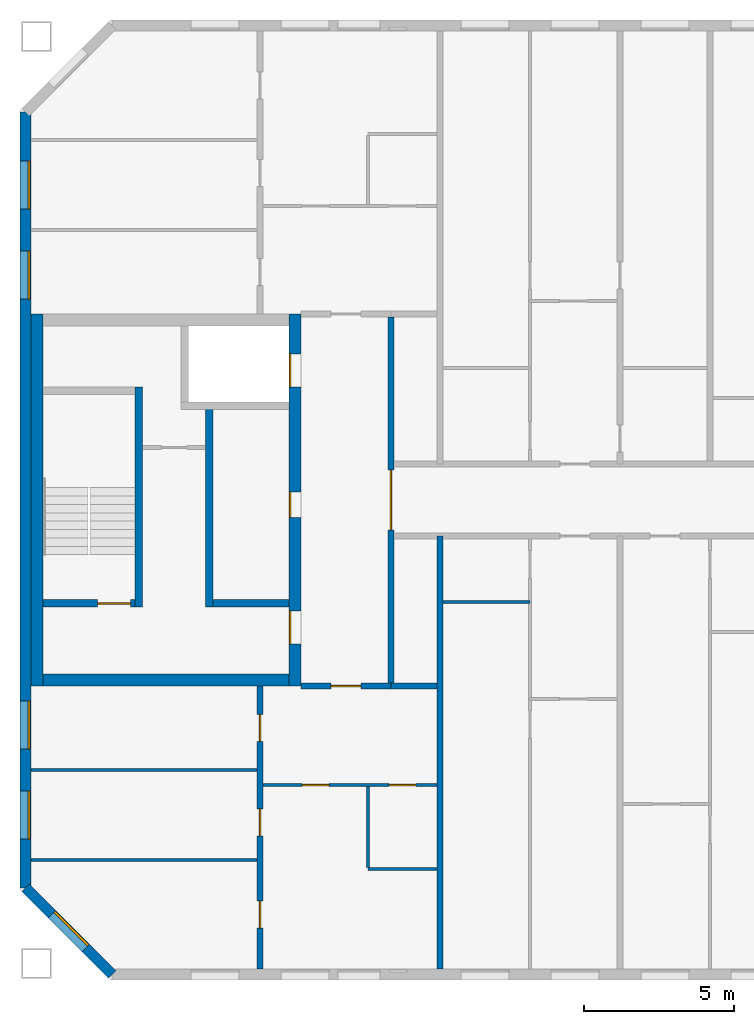
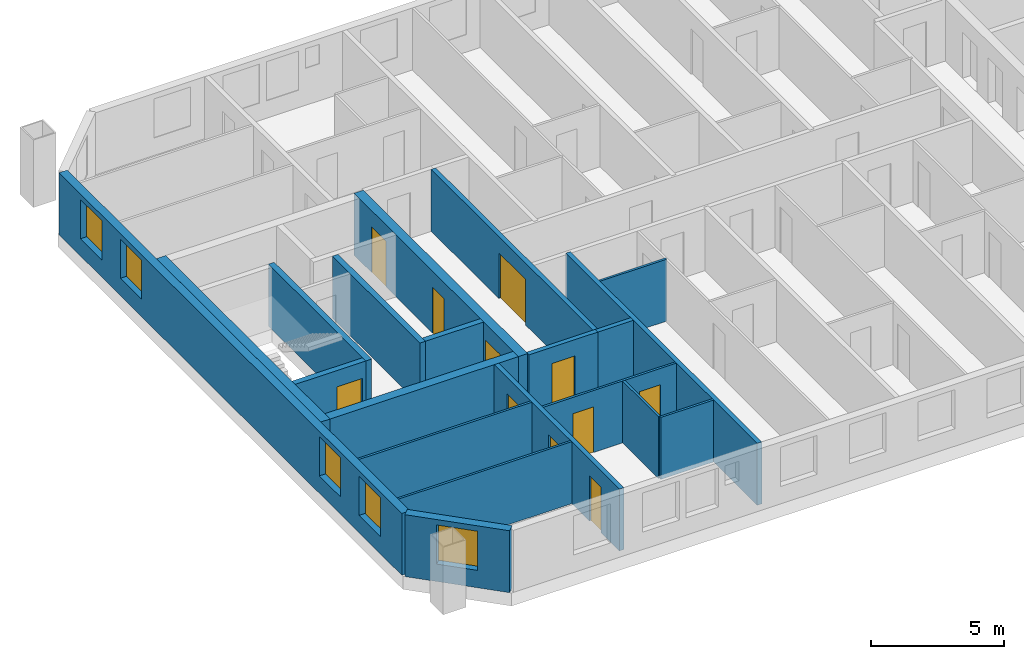
# One storey, part 4 of 19: 20 walls, 11 doors, 5 windows, 16 openings.
"""IFC4 building model written with IfcOpenShell, lengths in metres."""

from ifc_helpers import new_model, si_unit, direction, frame, frame_2d, origin, place, context, subcontext, project, spatial, rectangle, extrude, material, layer, layer_set, type_object, element, fill, save


model = new_model("IFC4")

# Units and contexts
model_context = context("Model", 3, precision=1e-05, world=origin(), true_north=direction((0.0, 1.0)))
body_context = subcontext(model_context, "Body", "Model", "MODEL_VIEW")
ifc_project = project(units=[si_unit("LENGTHUNIT", "METRE"), si_unit("AREAUNIT", "SQUARE_METRE"), si_unit("VOLUMEUNIT", "CUBIC_METRE"), si_unit("PLANEANGLEUNIT", "RADIAN"), si_unit("MASSUNIT", "GRAM", prefix="KILO")], contexts=[model_context])

# Site, building, storey
site_placement = place(None, origin())
site = spatial("IfcSite", under=ifc_project, at=site_placement, CompositionType="ELEMENT")
building_placement = place(site_placement, origin())
building = spatial("IfcBuilding", under=site, at=building_placement, Name="Tuart Gate Housing", CompositionType="ELEMENT")
storey_placement = place(building_placement, frame((0.0, 0.0, 221.39990234375)))
storey = spatial("IfcBuildingStorey", under=building, at=storey_placement, Name="L62", CompositionType="ELEMENT", Elevation=221.39990234375)

# Wall, opening, window
ifc_material_1 = material(Name="Brick", Category="masonry")
ifc_layer_1 = layer(ifc_material_1, 0.360107421875)
ifc_layer_set_1 = layer_set([ifc_layer_1], Name="Brick pier and spandrel wall 360")
wall_type_1 = type_object("IfcWallType", Name="Brick pier and spandrel wall 360", PredefinedType="STANDARD", material=ifc_layer_set_1)
wall_1_placement = place(storey_placement, frame((32.179931640625, 57.07470703125, 0.0), z_axis=(0.0, 0.0, 1.0), x_axis=(0.707106781187, -0.707106781187, 0.0)))
wall_1 = element("IfcWall", 1, at=wall_1_placement, inside=storey, type_object=wall_type_1, Name="External wall BLK-SW L62", PredefinedType="STANDARD", context=body_context, shape_type="SweptSolid", body=[
    extrude(rectangle(XDim=4.09375, YDim=0.360107421875, at=frame_2d((2.046875, 0.0))), origin(), (0.0, 0.0, 1.0), 2.85009765625),
])
opening_1_placement = place(wall_1_placement, frame((1.2470703125, 0.0, 0.800048828125)))
opening_1 = element("IfcOpeningElement", 2, at=opening_1_placement, cuts=wall_1, Name="Opening W1", PredefinedType="OPENING", context=body_context, shape_type="SweptSolid", body=[
    extrude(rectangle(XDim=1.60009765625, YDim=1.800048828125, at=frame_2d((0.800048828125, 0.89990234375))), frame((0.0, 0.18994140625, 0.0), z_axis=(0.0, -1.0, 0.0), x_axis=(1.0, 0.0, 0.0)), (0.0, 0.0, 1.0), 0.380126953125),
])
ifc_material_2 = material(Name="Aluminium frame with clear glass", Category="aluminium")
window_type = type_object("IfcWindowType", Name="Punched window 1600 x 1800", PartitioningType="SINGLE_PANEL", PredefinedType="WINDOW", material=ifc_material_2)
window_1_placement = place(opening_1_placement, origin())
window_1 = element("IfcWindow", 3, at=window_1_placement, inside=storey, type_object=window_type, Name="Window W1", OverallHeight=1.800048828125, OverallWidth=1.60009765625, PartitioningType="SINGLE_PANEL", PredefinedType="WINDOW", context=body_context, shape_type="SweptSolid", body=[
    extrude(rectangle(XDim=1.60009765625, YDim=1.800048828125, at=frame_2d((0.800048828125, 0.89990234375))), frame((0.0, 0.150146484375, 0.0), z_axis=(0.0, -1.0, 0.0), x_axis=(1.0, 0.0, 0.0)), (0.0, 0.0, 1.0), 0.06005859375),
])
fill(opening_1, window_1)

# Wall, openings, windows
wall_2_placement = place(storey_placement, frame((32.179931640625, 82.92529296875, 0.0), z_axis=(0.0, 0.0, 1.0), x_axis=(0.0, -1.0, 0.0)))
wall_2 = element("IfcWall", 4, at=wall_2_placement, inside=storey, type_object=wall_type_1, Name="External wall BLK-W L62", PredefinedType="STANDARD", context=body_context, shape_type="SweptSolid", body=[
    extrude(rectangle(XDim=25.850830078125, YDim=0.360107421875, at=frame_2d((12.92529296875, 0.0))), origin(), (0.0, 0.0, 1.0), 2.85009765625),
])
opening_2_placement = place(wall_2_placement, frame((1.62548828125, 0.0, 0.800048828125)))
opening_2 = element("IfcOpeningElement", 5, at=opening_2_placement, cuts=wall_2, Name="Opening W1", PredefinedType="OPENING", context=body_context, shape_type="SweptSolid", body=[
    extrude(rectangle(XDim=1.60009765625, YDim=1.800048828125, at=frame_2d((0.800048828125, 0.89990234375))), frame((0.0, 0.18994140625, 0.0), z_axis=(0.0, -1.0, 0.0), x_axis=(1.0, 0.0, 0.0)), (0.0, 0.0, 1.0), 0.380126953125),
])
opening_3_placement = place(wall_2_placement, frame((4.62548828125, 0.0, 0.800048828125)))
opening_3 = element("IfcOpeningElement", 6, at=opening_3_placement, cuts=wall_2, Name="Opening W1", PredefinedType="OPENING", context=body_context, shape_type="SweptSolid", body=[
    extrude(rectangle(XDim=1.60009765625, YDim=1.800048828125, at=frame_2d((0.800048828125, 0.89990234375))), frame((0.0, 0.18994140625, 0.0), z_axis=(0.0, -1.0, 0.0), x_axis=(1.0, 0.0, 0.0)), (0.0, 0.0, 1.0), 0.380126953125),
])
opening_4_placement = place(wall_2_placement, frame((19.62548828125, 0.0, 0.800048828125)))
opening_4 = element("IfcOpeningElement", 7, at=opening_4_placement, cuts=wall_2, Name="Opening W1", PredefinedType="OPENING", context=body_context, shape_type="SweptSolid", body=[
    extrude(rectangle(XDim=1.60009765625, YDim=1.800048828125, at=frame_2d((0.800048828125, 0.89990234375))), frame((0.0, 0.18994140625, 0.0), z_axis=(0.0, -1.0, 0.0), x_axis=(1.0, 0.0, 0.0)), (0.0, 0.0, 1.0), 0.380126953125),
])
opening_5_placement = place(wall_2_placement, frame((22.62548828125, 0.0, 0.800048828125)))
opening_5 = element("IfcOpeningElement", 8, at=opening_5_placement, cuts=wall_2, Name="Opening W1", PredefinedType="OPENING", context=body_context, shape_type="SweptSolid", body=[
    extrude(rectangle(XDim=1.60009765625, YDim=1.800048828125, at=frame_2d((0.800048828125, 0.89990234375))), frame((0.0, 0.18994140625, 0.0), z_axis=(0.0, -1.0, 0.0), x_axis=(1.0, 0.0, 0.0)), (0.0, 0.0, 1.0), 0.380126953125),
])
window_2_placement = place(opening_2_placement, origin())
window_2 = element("IfcWindow", 9, at=window_2_placement, inside=storey, type_object=window_type, Name="Window W1", OverallHeight=1.800048828125, OverallWidth=1.60009765625, PartitioningType="SINGLE_PANEL", PredefinedType="WINDOW", context=body_context, shape_type="SweptSolid", body=[
    extrude(rectangle(XDim=1.60009765625, YDim=1.800048828125, at=frame_2d((0.800048828125, 0.89990234375))), frame((0.0, 0.150146484375, 0.0), z_axis=(0.0, -1.0, 0.0), x_axis=(1.0, 0.0, 0.0)), (0.0, 0.0, 1.0), 0.06005859375),
])
fill(opening_2, window_2)
window_3_placement = place(opening_3_placement, origin())
window_3 = element("IfcWindow", 10, at=window_3_placement, inside=storey, type_object=window_type, Name="Window W1", OverallHeight=1.800048828125, OverallWidth=1.60009765625, PartitioningType="SINGLE_PANEL", PredefinedType="WINDOW", context=body_context, shape_type="SweptSolid", body=[
    extrude(rectangle(XDim=1.60009765625, YDim=1.800048828125, at=frame_2d((0.800048828125, 0.89990234375))), frame((0.0, 0.150146484375, 0.0), z_axis=(0.0, -1.0, 0.0), x_axis=(1.0, 0.0, 0.0)), (0.0, 0.0, 1.0), 0.06005859375),
])
fill(opening_3, window_3)
window_4_placement = place(opening_4_placement, origin())
window_4 = element("IfcWindow", 11, at=window_4_placement, inside=storey, type_object=window_type, Name="Window W1", OverallHeight=1.800048828125, OverallWidth=1.60009765625, PartitioningType="SINGLE_PANEL", PredefinedType="WINDOW", context=body_context, shape_type="SweptSolid", body=[
    extrude(rectangle(XDim=1.60009765625, YDim=1.800048828125, at=frame_2d((0.800048828125, 0.89990234375))), frame((0.0, 0.150146484375, 0.0), z_axis=(0.0, -1.0, 0.0), x_axis=(1.0, 0.0, 0.0)), (0.0, 0.0, 1.0), 0.06005859375),
])
fill(opening_4, window_4)
window_5_placement = place(opening_5_placement, origin())
window_5 = element("IfcWindow", 12, at=window_5_placement, inside=storey, type_object=window_type, Name="Window W1", OverallHeight=1.800048828125, OverallWidth=1.60009765625, PartitioningType="SINGLE_PANEL", PredefinedType="WINDOW", context=body_context, shape_type="SweptSolid", body=[
    extrude(rectangle(XDim=1.60009765625, YDim=1.800048828125, at=frame_2d((0.800048828125, 0.89990234375))), frame((0.0, 0.150146484375, 0.0), z_axis=(0.0, -1.0, 0.0), x_axis=(1.0, 0.0, 0.0)), (0.0, 0.0, 1.0), 0.06005859375),
])
fill(opening_5, window_5)

# Wall
ifc_material_3 = material(Name="Concrete C40", Category="concrete")
ifc_layer_2 = layer(ifc_material_3, 0.25)
ifc_layer_set_2 = layer_set([ifc_layer_2], Name="Core wall 250 C40")
wall_type_2 = type_object("IfcWallType", Name="Core wall 250 C40", PredefinedType="SHEAR", material=ifc_layer_set_2)
wall_3_placement = place(storey_placement, frame((40.9599609375, 66.550048828125, 0.0), z_axis=(0.0, 0.0, 1.0), x_axis=(-1.0, 0.0, 0.0)))
element("IfcWall", 13, at=wall_3_placement, inside=storey, type_object=wall_type_2, Name="Core wall AK.4", PredefinedType="SHEAR", context=body_context, shape_type="SweptSolid", body=[
    extrude(rectangle(XDim=2.52490234375, YDim=0.25, at=frame_2d((1.262451171875, 0.0))), origin(), (0.0, 0.0, 1.0), 2.85009765625),
])

# Wall, opening, door
wall_4_placement = place(storey_placement, frame((35.8349609375, 66.550048828125, 0.0), z_axis=(0.0, 0.0, 1.0), x_axis=(-1.0, 0.0, 0.0)))
wall_4 = element("IfcWall", 14, at=wall_4_placement, inside=storey, type_object=wall_type_2, Name="Core wall AK.5", PredefinedType="SHEAR", context=body_context, shape_type="SweptSolid", body=[
    extrude(rectangle(XDim=3.074951171875, YDim=0.25, at=frame_2d((1.53759765625, 0.0))), origin(), (0.0, 0.0, 1.0), 2.85009765625),
])
opening_6_placement = place(wall_4_placement, frame((0.14990234375, 0.0, 0.0)))
opening_6 = element("IfcOpeningElement", 15, at=opening_6_placement, cuts=wall_4, Name="Opening D2312", PredefinedType="OPENING", context=body_context, shape_type="SweptSolid", body=[
    extrude(rectangle(XDim=1.10009765625, YDim=2.10009765625, at=frame_2d((0.550048828125, 1.050048828125))), frame((0.0, 0.135009765625, 0.0), z_axis=(0.0, -1.0, 0.0), x_axis=(1.0, 0.0, 0.0)), (0.0, 0.0, 1.0), 0.27001953125),
])
ifc_material_4 = material(Name="Steel fire door", Category="steel")
door_type_1 = type_object("IfcDoorType", Name="Stair door 1100 x 2100 RH", OperationType="SINGLE_SWING_RIGHT", PredefinedType="DOOR", material=ifc_material_4)
door_1_placement = place(opening_6_placement, frame((1.10009765625, 0.0, 0.0), z_axis=(0.0, 0.0, 1.0), x_axis=(-1.0, 0.0, 0.0)))
door_1 = element("IfcDoor", 16, at=door_1_placement, inside=storey, type_object=door_type_1, Name="Stair door AK.SD", OperationType="SINGLE_SWING_RIGHT", OverallHeight=2.10009765625, OverallWidth=1.10009765625, PredefinedType="DOOR", context=body_context, shape_type="SweptSolid", body=[
    extrude(rectangle(XDim=1.10009765625, YDim=2.10009765625, at=frame_2d((0.550048828125, 1.050048828125))), frame((0.0, 0.025146484375, 0.0), z_axis=(0.0, -1.0, 0.0), x_axis=(1.0, 0.0, 0.0)), (0.0, 0.0, 1.0), 0.050048828125),
])
fill(opening_6, door_1)

# Walls
wall_5_placement = place(storey_placement, frame((38.31005859375, 73.02490234375, 0.0), z_axis=(0.0, 0.0, 1.0), x_axis=(0.0, -1.0, 0.0)))
element("IfcWall", 17, at=wall_5_placement, inside=storey, type_object=wall_type_2, Name="Core wall AK.6", PredefinedType="SHEAR", context=body_context, shape_type="SweptSolid", body=[
    extrude(rectangle(XDim=6.599853515625, YDim=0.25, at=frame_2d((3.2998046875, 0.0))), origin(), (0.0, 0.0, 1.0), 2.85009765625),
])
wall_6_placement = place(storey_placement, frame((35.9599609375, 73.77490234375, 0.0), z_axis=(0.0, 0.0, 1.0), x_axis=(0.0, -1.0, 0.0)))
element("IfcWall", 18, at=wall_6_placement, inside=storey, type_object=wall_type_2, Name="Core wall AK.8", PredefinedType="SHEAR", context=body_context, shape_type="SweptSolid", body=[
    extrude(rectangle(XDim=7.349853515625, YDim=0.25, at=frame_2d((3.6748046875, 0.0))), origin(), (0.0, 0.0, 1.0), 2.85009765625),
])

# Wall, openings, doors
ifc_material_5 = material(Name="Concrete C40", Category="concrete")
ifc_layer_3 = layer(ifc_material_5, 0.39990234375)
ifc_layer_set_3 = layer_set([ifc_layer_3], Name="Core wall 400 C40")
wall_type_3 = type_object("IfcWallType", Name="Core wall 400 C40", PredefinedType="SHEAR", material=ifc_layer_set_3)
wall_7_placement = place(storey_placement, frame((41.159912109375, 76.199951171875, 0.0), z_axis=(0.0, 0.0, 1.0), x_axis=(0.0, -1.0, 0.0)))
wall_7 = element("IfcWall", 19, at=wall_7_placement, inside=storey, type_object=wall_type_3, Name="Core wall AK front", PredefinedType="SHEAR", context=body_context, shape_type="SweptSolid", body=[
    extrude(rectangle(XDim=12.39990234375, YDim=0.39990234375, at=frame_2d((6.199951171875, 0.0))), origin(), (0.0, 0.0, 1.0), 2.85009765625),
])
opening_7_placement = place(wall_7_placement, frame((1.324951171875, 0.0, 0.0)))
opening_7 = element("IfcOpeningElement", 20, at=opening_7_placement, cuts=wall_7, Name="Opening LD-FA2", PredefinedType="OPENING", context=body_context, shape_type="SweptSolid", body=[
    extrude(rectangle(XDim=1.10009765625, YDim=2.10009765625, at=frame_2d((0.550048828125, 1.050048828125))), frame((0.0, 0.2099609375, 0.0), z_axis=(0.0, -1.0, 0.0), x_axis=(1.0, 0.0, 0.0)), (0.0, 0.0, 1.0), 0.419921875),
])
opening_8_placement = place(wall_7_placement, frame((5.925048828125, 0.0, 0.0)))
opening_8 = element("IfcOpeningElement", 21, at=opening_8_placement, cuts=wall_7, Name="Opening D2302", PredefinedType="OPENING", context=body_context, shape_type="SweptSolid", body=[
    extrude(rectangle(XDim=0.85009765625, YDim=2.10009765625, at=frame_2d((0.425048828125, 1.050048828125))), frame((0.0, 0.2099609375, 0.0), z_axis=(0.0, -1.0, 0.0), x_axis=(1.0, 0.0, 0.0)), (0.0, 0.0, 1.0), 0.419921875),
])
opening_9_placement = place(wall_7_placement, frame((9.89990234375, 0.0, 0.0)))
opening_9 = element("IfcOpeningElement", 22, at=opening_9_placement, cuts=wall_7, Name="Opening D2301", PredefinedType="OPENING", context=body_context, shape_type="SweptSolid", body=[
    extrude(rectangle(XDim=1.10009765625, YDim=2.10009765625, at=frame_2d((0.550048828125, 1.050048828125))), frame((0.0, 0.2099609375, 0.0), z_axis=(0.0, -1.0, 0.0), x_axis=(1.0, 0.0, 0.0)), (0.0, 0.0, 1.0), 0.419921875),
])
ifc_material_6 = material(Name="Stainless steel", Category="steel")
door_type_2 = type_object("IfcDoorType", Name="Landing door 1100 x 2100", OperationType="DOUBLE_DOOR_SLIDING", PredefinedType="DOOR", material=ifc_material_6)
door_2_placement = place(opening_7_placement, origin())
door_2 = element("IfcDoor", 23, at=door_2_placement, inside=storey, type_object=door_type_2, Name="Lift landing door FA2", OperationType="DOUBLE_DOOR_SLIDING", OverallHeight=2.10009765625, OverallWidth=1.10009765625, PredefinedType="DOOR", context=body_context, shape_type="SweptSolid", body=[
    extrude(rectangle(XDim=1.10009765625, YDim=2.10009765625, at=frame_2d((0.550048828125, 1.050048828125))), frame((0.0, -0.134765625, 0.0), z_axis=(0.0, -1.0, 0.0), x_axis=(1.0, 0.0, 0.0)), (0.0, 0.0, 1.0), 0.050048828125),
])
fill(opening_7, door_2)
ifc_material_7 = material(Name="Steel fire door", Category="steel")
door_type_3 = type_object("IfcDoorType", Name="Lobby door 1100 x 2100 RH", OperationType="SINGLE_SWING_RIGHT", PredefinedType="DOOR", material=ifc_material_7)
door_3_placement = place(opening_9_placement, frame((1.10009765625, 0.0, 0.0), z_axis=(0.0, 0.0, 1.0), x_axis=(-1.0, 0.0, 0.0)))
door_3 = element("IfcDoor", 24, at=door_3_placement, inside=storey, type_object=door_type_3, Name="Lobby entry door AK.EN", OperationType="SINGLE_SWING_RIGHT", OverallHeight=2.10009765625, OverallWidth=1.10009765625, PredefinedType="DOOR", context=body_context, shape_type="SweptSolid", body=[
    extrude(rectangle(XDim=1.10009765625, YDim=2.10009765625, at=frame_2d((0.550048828125, 1.050048828125))), frame((0.0, 0.184814453125, 0.0), z_axis=(0.0, -1.0, 0.0), x_axis=(1.0, 0.0, 0.0)), (0.0, 0.0, 1.0), 0.050048828125),
])
fill(opening_9, door_3)
ifc_material_8 = material(Name="Steel fire door", Category="steel")
door_type_4 = type_object("IfcDoorType", Name="Service door 850 x 2100 RH", OperationType="SINGLE_SWING_RIGHT", PredefinedType="DOOR", material=ifc_material_8)
door_4_placement = place(opening_8_placement, frame((0.85009765625, 0.0, 0.0), z_axis=(0.0, 0.0, 1.0), x_axis=(-1.0, 0.0, 0.0)))
door_4 = element("IfcDoor", 25, at=door_4_placement, inside=storey, type_object=door_type_4, Name="Service room door AK.FR1", OperationType="SINGLE_SWING_RIGHT", OverallHeight=2.10009765625, OverallWidth=0.85009765625, PredefinedType="DOOR", context=body_context, shape_type="SweptSolid", body=[
    extrude(rectangle(XDim=0.85009765625, YDim=2.10009765625, at=frame_2d((0.425048828125, 1.050048828125))), frame((0.0, 0.184814453125, 0.0), z_axis=(0.0, -1.0, 0.0), x_axis=(1.0, 0.0, 0.0)), (0.0, 0.0, 1.0), 0.050048828125),
])
fill(opening_8, door_4)

# Walls
wall_8_placement = place(storey_placement, frame((32.56005859375, 76.199951171875, 0.0), z_axis=(0.0, 0.0, 1.0), x_axis=(0.0, -1.0, 0.0)))
element("IfcWall", 26, at=wall_8_placement, inside=storey, type_object=wall_type_3, Name="Core wall AK back", PredefinedType="SHEAR", context=body_context, shape_type="SweptSolid", body=[
    extrude(rectangle(XDim=12.39990234375, YDim=0.39990234375, at=frame_2d((6.199951171875, 0.0))), origin(), (0.0, 0.0, 1.0), 2.85009765625),
])
wall_9_placement = place(storey_placement, frame((40.9599609375, 64.0, 0.0), z_axis=(0.0, 0.0, 1.0), x_axis=(-1.0, 0.0, 0.0)))
element("IfcWall", 27, at=wall_9_placement, inside=storey, type_object=wall_type_3, Name="Core wall AK north", PredefinedType="SHEAR", context=body_context, shape_type="SweptSolid", body=[
    extrude(rectangle(XDim=8.199951171875, YDim=0.39990234375, at=frame_2d((4.10009765625, 0.0))), origin(), (0.0, 0.0, 1.0), 2.85009765625),
])

# Wall, opening, door
ifc_material_9 = material(Name="Concrete masonry 15 MPa", Category="masonry")
ifc_layer_4 = layer(ifc_material_9, 0.199951171875)
ifc_layer_set_4 = layer_set([ifc_layer_4], Name="Enclosure wall masonry 200")
wall_type_4 = type_object("IfcWallType", Name="Enclosure wall masonry 200", PredefinedType="PARTITIONING", material=ifc_layer_set_4)
wall_10_placement = place(storey_placement, frame((41.360107421875, 63.800048828125, 0.0), z_axis=(0.0, 0.0, 1.0), x_axis=(1.0, 0.0, 0.0)))
wall_10 = element("IfcWall", 28, at=wall_10_placement, inside=storey, type_object=wall_type_4, Name="Enclosure wall masonry 200", PredefinedType="PARTITIONING", context=body_context, shape_type="SweptSolid", body=[
    extrude(rectangle(XDim=3.0, YDim=0.199951171875, at=frame_2d((1.5, 0.0))), origin(), (0.0, 0.0, 1.0), 2.85009765625),
])
opening_10_placement = place(wall_10_placement, frame((1.0, 0.0, 0.0)))
opening_10 = element("IfcOpeningElement", 29, at=opening_10_placement, cuts=wall_10, Name="Opening D2313", PredefinedType="OPENING", context=body_context, shape_type="SweptSolid", body=[
    extrude(rectangle(XDim=1.0, YDim=2.10009765625, at=frame_2d((0.5, 1.050048828125))), frame((0.0, 0.10986328125, 0.0), z_axis=(0.0, -1.0, 0.0), x_axis=(1.0, 0.0, 0.0)), (0.0, 0.0, 1.0), 0.219970703125),
])
ifc_material_10 = material(Name="Timber door leaf in steel frame", Category="steel")
door_type_5 = type_object("IfcDoorType", Name="Flat entrance door 1000 RH", OperationType="SINGLE_SWING_RIGHT", PredefinedType="DOOR", material=ifc_material_10)
door_5_placement = place(opening_10_placement, frame((1.0, 0.0, 0.0), z_axis=(0.0, 0.0, 1.0), x_axis=(-1.0, 0.0, 0.0)))
door_5 = element("IfcDoor", 30, at=door_5_placement, inside=storey, type_object=door_type_5, Name="Flat entrance door", OperationType="SINGLE_SWING_RIGHT", OverallHeight=2.10009765625, OverallWidth=1.0, PredefinedType="DOOR", context=body_context, shape_type="SweptSolid", body=[
    extrude(rectangle(XDim=1.0, YDim=2.10009765625, at=frame_2d((0.5, 1.050048828125))), frame((0.0, 0.025146484375, 0.0), z_axis=(0.0, -1.0, 0.0), x_axis=(1.0, 0.0, 0.0)), (0.0, 0.0, 1.0), 0.050048828125),
])
fill(opening_10, door_5)

ifc_material_11 = material(Name="Plasterboard partition")
ifc_layer_5 = layer(ifc_material_11, 0.199951171875)
ifc_layer_set_5 = layer_set([ifc_layer_5], Name="Lobby wall 200")
wall_type_5 = type_object("IfcWallType", Name="Lobby wall 200", PredefinedType="PARTITIONING", material=ifc_layer_set_5)
wall_11_placement = place(storey_placement, frame((44.360107421875, 63.89990234375, 0.0), z_axis=(0.0, 0.0, 1.0), x_axis=(0.0, 1.0, 0.0)))
wall_11 = element("IfcWall", 31, at=wall_11_placement, inside=storey, type_object=wall_type_5, Name="Lift lobby wall AK", PredefinedType="PARTITIONING", context=body_context, shape_type="SweptSolid", body=[
    extrude(rectangle(XDim=12.2001953125, YDim=0.199951171875, at=frame_2d((6.10009765625, 0.0))), origin(), (0.0, 0.0, 1.0), 2.85009765625),
])
opening_11_placement = place(wall_11_placement, frame((5.10009765625, 0.0, 0.0)))
opening_11 = element("IfcOpeningElement", 32, at=opening_11_placement, cuts=wall_11, Name="Opening D2303", PredefinedType="OPENING", context=body_context, shape_type="SweptSolid", body=[
    extrude(rectangle(XDim=2.0, YDim=2.10009765625, at=frame_2d((1.0, 1.050048828125))), frame((0.0, 0.10986328125, 0.0), z_axis=(0.0, -1.0, 0.0), x_axis=(1.0, 0.0, 0.0)), (0.0, 0.0, 1.0), 0.219970703125),
])
ifc_material_12 = material(Name="Steel fire door", Category="steel")
door_type_6 = type_object("IfcDoorType", Name="Smoke door 2000 x 2100", OperationType="DOUBLE_DOOR_SINGLE_SWING", PredefinedType="DOOR", material=ifc_material_12)
door_6_placement = place(opening_11_placement, origin())
door_6 = element("IfcDoor", 33, at=door_6_placement, inside=storey, type_object=door_type_6, Name="Lift lobby smoke door AK", OperationType="DOUBLE_DOOR_SINGLE_SWING", OverallHeight=2.10009765625, OverallWidth=2.0, PredefinedType="DOOR", context=body_context, shape_type="SweptSolid", body=[
    extrude(rectangle(XDim=2.0, YDim=2.10009765625, at=frame_2d((1.0, 1.050048828125))), frame((0.0, 0.02490234375, 0.0), z_axis=(0.0, -1.0, 0.0), x_axis=(1.0, 0.0, 0.0)), (0.0, 0.0, 1.0), 0.050048828125),
])
fill(opening_11, door_6)

# Walls
ifc_material_13 = material(Name="Gypsum board on steel studs", Category="steel")
ifc_layer_6 = layer(ifc_material_13, 0.10009765625)
ifc_layer_set_6 = layer_set([ifc_layer_6], Name="Partition 100")
wall_type_6 = type_object("IfcWallType", Name="Partition 100", PredefinedType="PARTITIONING", material=ifc_layer_set_6)
wall_12_placement = place(storey_placement, frame((43.60009765625, 57.699951171875, 0.0), z_axis=(0.0, 0.0, 1.0), x_axis=(1.0, 0.0, 0.0)))
element("IfcWall", 34, at=wall_12_placement, inside=storey, type_object=wall_type_6, Name="Partition 100", PredefinedType="PARTITIONING", context=body_context, shape_type="SweptSolid", body=[
    extrude(rectangle(XDim=2.2998046875, YDim=0.10009765625, at=frame_2d((1.14990234375, 0.0))), origin(), (0.0, 0.0, 1.0), 2.85009765625),
])
wall_13_placement = place(storey_placement, frame((32.360107421875, 58.0, 0.0), z_axis=(0.0, 0.0, 1.0), x_axis=(1.0, 0.0, 0.0)))
element("IfcWall", 35, at=wall_13_placement, inside=storey, type_object=wall_type_6, Name="Partition 100", PredefinedType="PARTITIONING", context=body_context, shape_type="SweptSolid", body=[
    extrude(rectangle(XDim=7.539794921875, YDim=0.10009765625, at=frame_2d((3.77001953125, 0.0))), origin(), (0.0, 0.0, 1.0), 2.85009765625),
])

# Wall, openings, doors
wall_14_placement = place(storey_placement, frame((40.10009765625, 60.5, 0.0), z_axis=(0.0, 0.0, 1.0), x_axis=(1.0, 0.0, 0.0)))
wall_14 = element("IfcWall", 36, at=wall_14_placement, inside=storey, type_object=wall_type_6, Name="Partition 100", PredefinedType="PARTITIONING", context=body_context, shape_type="SweptSolid", body=[
    extrude(rectangle(XDim=5.7998046875, YDim=0.10009765625, at=frame_2d((2.89990234375, 0.0))), origin(), (0.0, 0.0, 1.0), 2.85009765625),
])
opening_12_placement = place(wall_14_placement, frame((1.300048828125, 0.0, 0.0)))
opening_12 = element("IfcOpeningElement", 37, at=opening_12_placement, cuts=wall_14, Name="Opening D2324", PredefinedType="OPENING", context=body_context, shape_type="SweptSolid", body=[
    extrude(rectangle(XDim=0.89990234375, YDim=2.10009765625, at=frame_2d((0.449951171875, 1.050048828125))), frame((0.0, 0.06005859375, 0.0), z_axis=(0.0, -1.0, 0.0), x_axis=(1.0, 0.0, 0.0)), (0.0, 0.0, 1.0), 0.1201171875),
])
opening_13_placement = place(wall_14_placement, frame((4.199951171875, 0.0, 0.0)))
opening_13 = element("IfcOpeningElement", 38, at=opening_13_placement, cuts=wall_14, Name="Opening D2323", PredefinedType="OPENING", context=body_context, shape_type="SweptSolid", body=[
    extrude(rectangle(XDim=0.89990234375, YDim=2.10009765625, at=frame_2d((0.449951171875, 1.050048828125))), frame((0.0, 0.06005859375, 0.0), z_axis=(0.0, -1.0, 0.0), x_axis=(1.0, 0.0, 0.0)), (0.0, 0.0, 1.0), 0.1201171875),
])
ifc_material_14 = material(Name="Timber door leaf in steel frame", Category="steel")
door_type_7 = type_object("IfcDoorType", Name="Bathroom door 900 RH", OperationType="SINGLE_SWING_RIGHT", PredefinedType="DOOR", material=ifc_material_14)
door_7_placement = place(opening_13_placement, frame((0.89990234375, 0.0, 0.0), z_axis=(0.0, 0.0, 1.0), x_axis=(-1.0, 0.0, 0.0)))
door_7 = element("IfcDoor", 39, at=door_7_placement, inside=storey, type_object=door_type_7, Name="Bathroom door", OperationType="SINGLE_SWING_RIGHT", OverallHeight=2.10009765625, OverallWidth=0.89990234375, PredefinedType="DOOR", context=body_context, shape_type="SweptSolid", body=[
    extrude(rectangle(XDim=0.89990234375, YDim=2.10009765625, at=frame_2d((0.449951171875, 1.050048828125))), frame((0.0, 0.025146484375, 0.0), z_axis=(0.0, -1.0, 0.0), x_axis=(1.0, 0.0, 0.0)), (0.0, 0.0, 1.0), 0.050048828125),
])
fill(opening_13, door_7)
ifc_material_15 = material(Name="Timber door leaf in steel frame", Category="steel")
door_type_8 = type_object("IfcDoorType", Name="Internal door 900", OperationType="SINGLE_SWING_LEFT", PredefinedType="DOOR", material=ifc_material_15)
door_8_placement = place(opening_12_placement, origin())
door_8 = element("IfcDoor", 40, at=door_8_placement, inside=storey, type_object=door_type_8, Name="Internal door", OperationType="SINGLE_SWING_LEFT", OverallHeight=2.10009765625, OverallWidth=0.89990234375, PredefinedType="DOOR", context=body_context, shape_type="SweptSolid", body=[
    extrude(rectangle(XDim=0.89990234375, YDim=2.10009765625, at=frame_2d((0.449951171875, 1.050048828125))), frame((0.0, 0.02490234375, 0.0), z_axis=(0.0, -1.0, 0.0), x_axis=(1.0, 0.0, 0.0)), (0.0, 0.0, 1.0), 0.050048828125),
])
fill(opening_12, door_8)

# Walls
wall_15_placement = place(storey_placement, frame((32.360107421875, 61.0, 0.0), z_axis=(0.0, 0.0, 1.0), x_axis=(1.0, 0.0, 0.0)))
element("IfcWall", 41, at=wall_15_placement, inside=storey, type_object=wall_type_6, Name="Partition 100", PredefinedType="PARTITIONING", context=body_context, shape_type="SweptSolid", body=[
    extrude(rectangle(XDim=7.539794921875, YDim=0.10009765625, at=frame_2d((3.77001953125, 0.0))), origin(), (0.0, 0.0, 1.0), 2.85009765625),
])
wall_16_placement = place(storey_placement, frame((46.10009765625, 66.60009765625, 0.0), z_axis=(0.0, 0.0, 1.0), x_axis=(1.0, 0.0, 0.0)))
element("IfcWall", 42, at=wall_16_placement, inside=storey, type_object=wall_type_6, Name="Partition 100", PredefinedType="PARTITIONING", context=body_context, shape_type="SweptSolid", body=[
    extrude(rectangle(XDim=2.89990234375, YDim=0.10009765625, at=frame_2d((1.449951171875, 0.0))), origin(), (0.0, 0.0, 1.0), 2.85009765625),
])
wall_17_placement = place(storey_placement, frame((43.60009765625, 57.75, 0.0), z_axis=(0.0, 0.0, 1.0), x_axis=(0.0, 1.0, 0.0)))
element("IfcWall", 43, at=wall_17_placement, inside=storey, type_object=wall_type_6, Name="Partition 100", PredefinedType="PARTITIONING", context=body_context, shape_type="SweptSolid", body=[
    extrude(rectangle(XDim=2.699951171875, YDim=0.10009765625, at=frame_2d((1.35009765625, 0.0))), origin(), (0.0, 0.0, 1.0), 2.85009765625),
])

# Wall, openings, doors
ifc_material_16 = material(Name="Concrete C40", Category="concrete")
ifc_layer_7 = layer(ifc_material_16, 0.199951171875)
ifc_layer_set_7 = layer_set([ifc_layer_7], Name="Party wall concrete C40 200")
wall_type_7 = type_object("IfcWallType", Name="Party wall concrete C40 200", PredefinedType="SOLIDWALL", material=ifc_layer_set_7)
wall_18_placement = place(storey_placement, frame((40.0, 54.360107421875, 0.0), z_axis=(0.0, 0.0, 1.0), x_axis=(0.0, 1.0, 0.0)))
wall_18 = element("IfcWall", 44, at=wall_18_placement, inside=storey, type_object=wall_type_7, Name="Party wall concrete C40 200", PredefinedType="SOLIDWALL", context=body_context, shape_type="SweptSolid", body=[
    extrude(rectangle(XDim=9.43994140625, YDim=0.199951171875, at=frame_2d((4.719970703125, 0.0))), origin(), (0.0, 0.0, 1.0), 2.85009765625),
])
opening_14_placement = place(wall_18_placement, frame((1.3701171875, 0.0, 0.0)))
opening_14 = element("IfcOpeningElement", 45, at=opening_14_placement, cuts=wall_18, Name="Opening D2328", PredefinedType="OPENING", context=body_context, shape_type="SweptSolid", body=[
    extrude(rectangle(XDim=0.89990234375, YDim=2.10009765625, at=frame_2d((0.449951171875, 1.050048828125))), frame((0.0, 0.10986328125, 0.0), z_axis=(0.0, -1.0, 0.0), x_axis=(1.0, 0.0, 0.0)), (0.0, 0.0, 1.0), 0.219970703125),
])
opening_15_placement = place(wall_18_placement, frame((4.43994140625, 0.0, 0.0)))
opening_15 = element("IfcOpeningElement", 46, at=opening_15_placement, cuts=wall_18, Name="Opening D2329", PredefinedType="OPENING", context=body_context, shape_type="SweptSolid", body=[
    extrude(rectangle(XDim=0.89990234375, YDim=2.10009765625, at=frame_2d((0.449951171875, 1.050048828125))), frame((0.0, 0.10986328125, 0.0), z_axis=(0.0, -1.0, 0.0), x_axis=(1.0, 0.0, 0.0)), (0.0, 0.0, 1.0), 0.219970703125),
])
opening_16_placement = place(wall_18_placement, frame((7.590087890625, 0.0, 0.0)))
opening_16 = element("IfcOpeningElement", 47, at=opening_16_placement, cuts=wall_18, Name="Opening D2330", PredefinedType="OPENING", context=body_context, shape_type="SweptSolid", body=[
    extrude(rectangle(XDim=0.89990234375, YDim=2.10009765625, at=frame_2d((0.449951171875, 1.050048828125))), frame((0.0, 0.10986328125, 0.0), z_axis=(0.0, -1.0, 0.0), x_axis=(1.0, 0.0, 0.0)), (0.0, 0.0, 1.0), 0.219970703125),
])
door_9_placement = place(opening_14_placement, origin())
door_9 = element("IfcDoor", 48, at=door_9_placement, inside=storey, type_object=door_type_8, Name="Internal door", OperationType="SINGLE_SWING_LEFT", OverallHeight=2.10009765625, OverallWidth=0.89990234375, PredefinedType="DOOR", context=body_context, shape_type="SweptSolid", body=[
    extrude(rectangle(XDim=0.89990234375, YDim=2.10009765625, at=frame_2d((0.449951171875, 1.050048828125))), frame((0.0, 0.02490234375, 0.0), z_axis=(0.0, -1.0, 0.0), x_axis=(1.0, 0.0, 0.0)), (0.0, 0.0, 1.0), 0.050048828125),
])
fill(opening_14, door_9)
door_10_placement = place(opening_15_placement, origin())
door_10 = element("IfcDoor", 49, at=door_10_placement, inside=storey, type_object=door_type_8, Name="Internal door", OperationType="SINGLE_SWING_LEFT", OverallHeight=2.10009765625, OverallWidth=0.89990234375, PredefinedType="DOOR", context=body_context, shape_type="SweptSolid", body=[
    extrude(rectangle(XDim=0.89990234375, YDim=2.10009765625, at=frame_2d((0.449951171875, 1.050048828125))), frame((0.0, 0.02490234375, 0.0), z_axis=(0.0, -1.0, 0.0), x_axis=(1.0, 0.0, 0.0)), (0.0, 0.0, 1.0), 0.050048828125),
])
fill(opening_15, door_10)
door_11_placement = place(opening_16_placement, origin())
door_11 = element("IfcDoor", 50, at=door_11_placement, inside=storey, type_object=door_type_8, Name="Internal door", OperationType="SINGLE_SWING_LEFT", OverallHeight=2.10009765625, OverallWidth=0.89990234375, PredefinedType="DOOR", context=body_context, shape_type="SweptSolid", body=[
    extrude(rectangle(XDim=0.89990234375, YDim=2.10009765625, at=frame_2d((0.449951171875, 1.050048828125))), frame((0.0, 0.02490234375, 0.0), z_axis=(0.0, -1.0, 0.0), x_axis=(1.0, 0.0, 0.0)), (0.0, 0.0, 1.0), 0.050048828125),
])
fill(opening_16, door_11)

# Walls
wall_19_placement = place(storey_placement, frame((46.0, 54.360107421875, 0.0), z_axis=(0.0, 0.0, 1.0), x_axis=(0.0, 1.0, 0.0)))
element("IfcWall", 51, at=wall_19_placement, inside=storey, type_object=wall_type_7, Name="Party wall concrete C40 200", PredefinedType="SOLIDWALL", context=body_context, shape_type="SweptSolid", body=[
    extrude(rectangle(XDim=14.43994140625, YDim=0.199951171875, at=frame_2d((7.219970703125, 0.0))), origin(), (0.0, 0.0, 1.0), 2.85009765625),
])
ifc_material_17 = material(Name="Concrete masonry 15 MPa", Category="masonry")
ifc_layer_8 = layer(ifc_material_17, 0.199951171875)
ifc_layer_set_8 = layer_set([ifc_layer_8], Name="Party wall masonry 200")
wall_type_8 = type_object("IfcWallType", Name="Party wall masonry 200", PredefinedType="PARTITIONING", material=ifc_layer_set_8)
wall_20_placement = place(storey_placement, frame((44.360107421875, 63.800048828125, 0.0), z_axis=(0.0, 0.0, 1.0), x_axis=(1.0, 0.0, 0.0)))
element("IfcWall", 52, at=wall_20_placement, inside=storey, type_object=wall_type_8, Name="Party wall masonry 200", PredefinedType="PARTITIONING", context=body_context, shape_type="SweptSolid", body=[
    extrude(rectangle(XDim=1.539794921875, YDim=0.199951171875, at=frame_2d((0.77001953125, 0.0))), origin(), (0.0, 0.0, 1.0), 2.85009765625),
])

save(model, "model.ifc")
